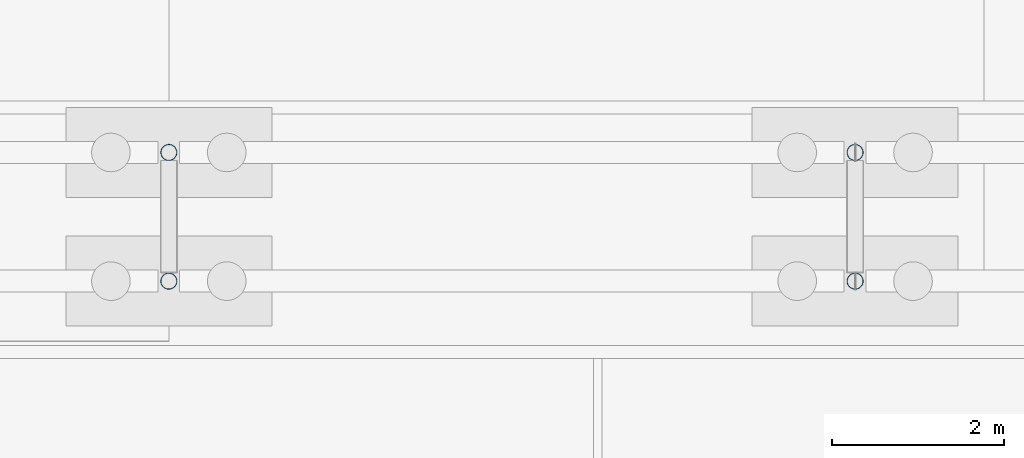
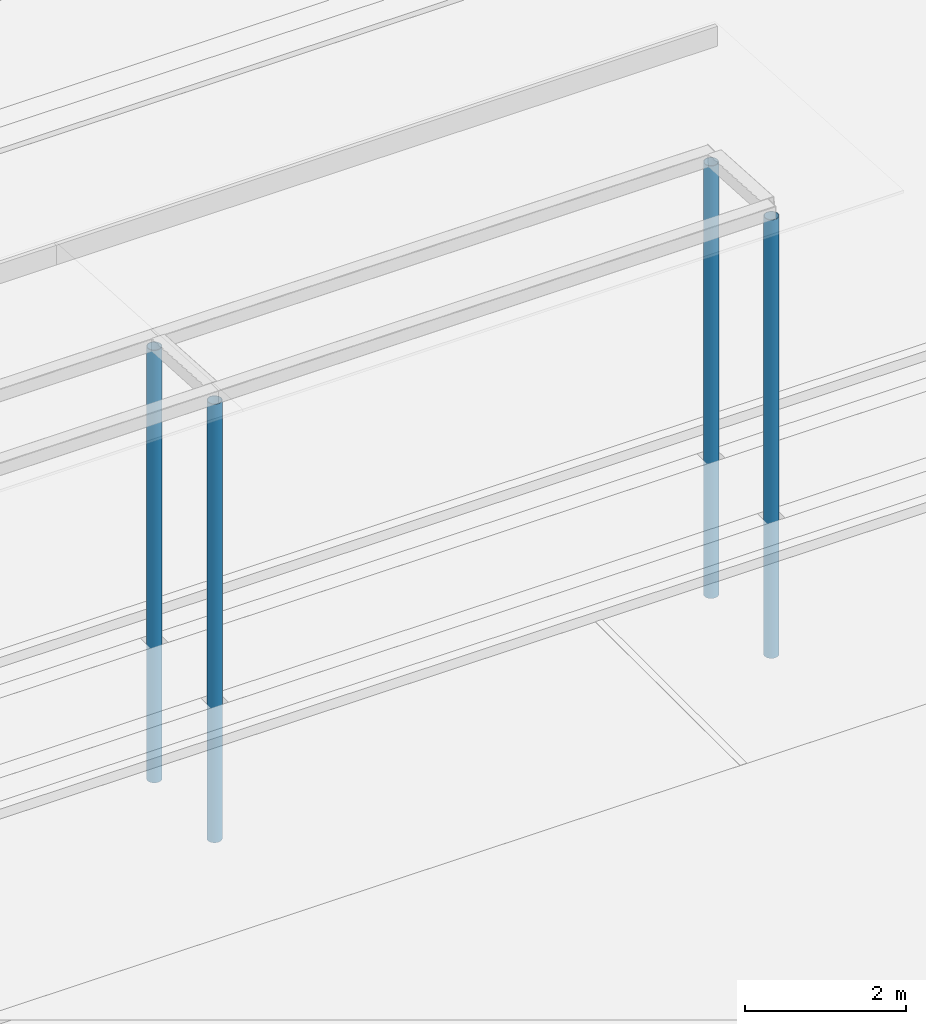
# One storey, part 36 of 250: 4 columns.
"""IFC4 building model written with IfcOpenShell, lengths in metres."""

from ifc_helpers import new_model, si_unit, direction, frame, origin, origin_2d, place, context, subcontext, project, spatial, hollow_circle, extrude, material, material_profile, profile_set, type_object, element, save


model = new_model("IFC4")

# Units and contexts
model_context = context("Model", 3, precision=1e-05, world=origin(), true_north=direction((0.0, 1.0)))
body_context = subcontext(model_context, "Body", "Model", "MODEL_VIEW")
ifc_project = project(units=[si_unit("LENGTHUNIT", "METRE"), si_unit("AREAUNIT", "SQUARE_METRE"), si_unit("VOLUMEUNIT", "CUBIC_METRE"), si_unit("PLANEANGLEUNIT", "RADIAN"), si_unit("MASSUNIT", "GRAM", prefix="KILO")], contexts=[model_context])

# Site, building, storey
site_placement = place(None, origin())
site = spatial("IfcSite", under=ifc_project, at=site_placement, CompositionType="ELEMENT")
building_placement = place(site_placement, origin())
building = spatial("IfcBuilding", under=site, at=building_placement, Name="Baradari Gate Terminus", CompositionType="ELEMENT")
storey_placement = place(building_placement, origin())
storey = spatial("IfcBuildingStorey", under=building, at=storey_placement, Name="L00", CompositionType="ELEMENT", Elevation=0.0)

# Columns
ifc_material = material(Name="Steel S355", Category="steel")
ifc_material_profile = material_profile(ifc_material, hollow_circle(Radius=0.096923828125, WallThickness=0.008056640625, at=origin_2d()), Name="CHS 193.7x8")
ifc_profile_set = profile_set([ifc_material_profile], Name="Steel S355")
column_type = type_object("IfcColumnType", Name="Shelter column CHS 193.7x8", PredefinedType="COLUMN", material=ifc_profile_set)
for number, where, z_axis, x_axis, name in (
    (1, (218.0, 138.0, -2.10009765625), (0.0, 0.0, 1.0), (1.0, 0.0, 0.0), "Bus shelter column 4"),
    (2, (226.0, 138.0, -2.10009765625), (0.0, 0.0, 1.0), (1.0, 0.0, 0.0), "Bus shelter column 5"),
):
    element("IfcColumn", number, at=place(storey_placement, frame(where, z_axis=z_axis, x_axis=x_axis)), inside=storey, type_object=column_type, Name=name, PredefinedType="COLUMN", context=body_context, shape_type="SweptSolid", body=[
        extrude(hollow_circle(Radius=0.096923828125, WallThickness=0.008056640625, at=origin_2d()), origin(), (0.0, 0.0, 1.0), 6.66015625),
    ])
for number, where, z_axis, x_axis, name in (
    (3, (218.0, 139.5, -2.10009765625), (0.0, 0.0, 1.0), (1.0, 0.0, 0.0), "Bus shelter column 9"),
    (4, (226.0, 139.5, -2.10009765625), (0.0, 0.0, 1.0), (1.0, 0.0, 0.0), "Bus shelter column 10"),
):
    element("IfcColumn", number, at=place(storey_placement, frame(where, z_axis=z_axis, x_axis=x_axis)), inside=storey, type_object=column_type, Name=name, PredefinedType="COLUMN", context=body_context, shape_type="SweptSolid", body=[
        extrude(hollow_circle(Radius=0.096923828125, WallThickness=0.008056640625, at=origin_2d()), origin(), (0.0, 0.0, 1.0), 6.570068359375),
    ])

save(model, "model.ifc")
